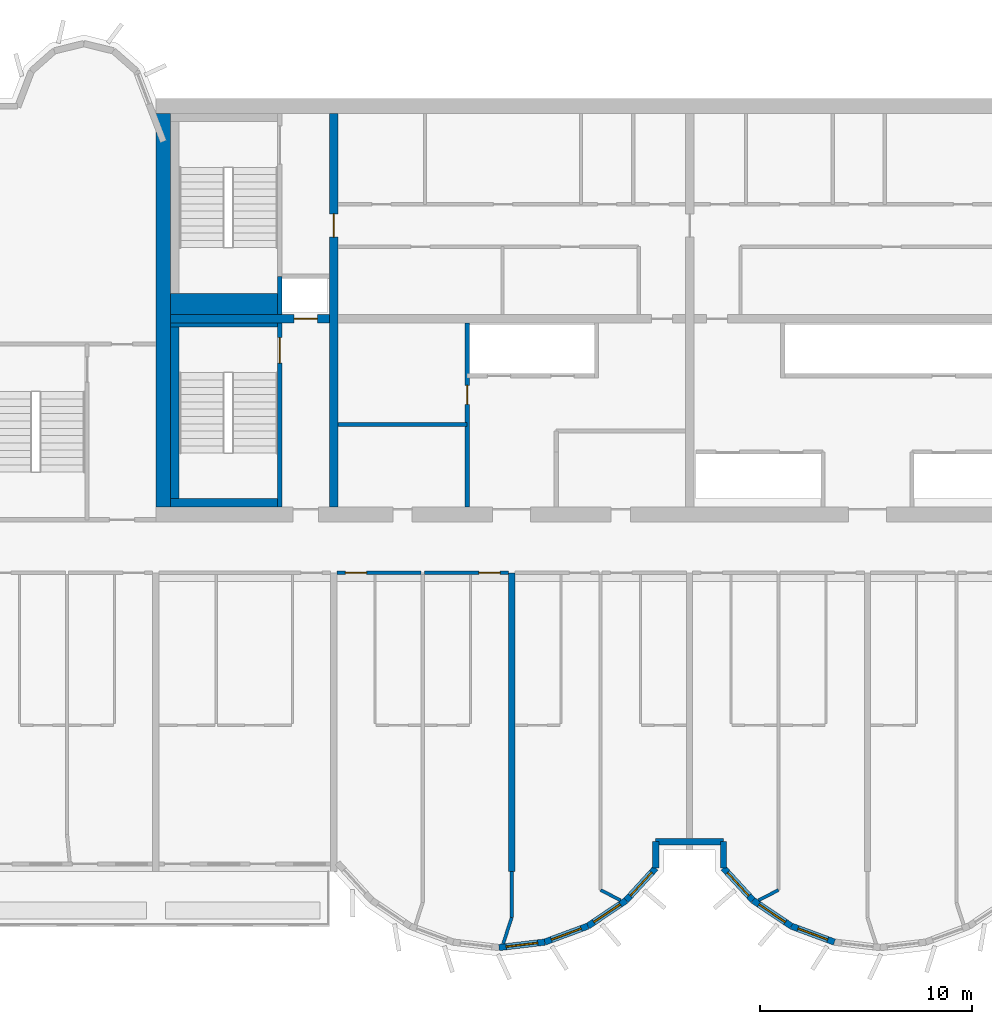
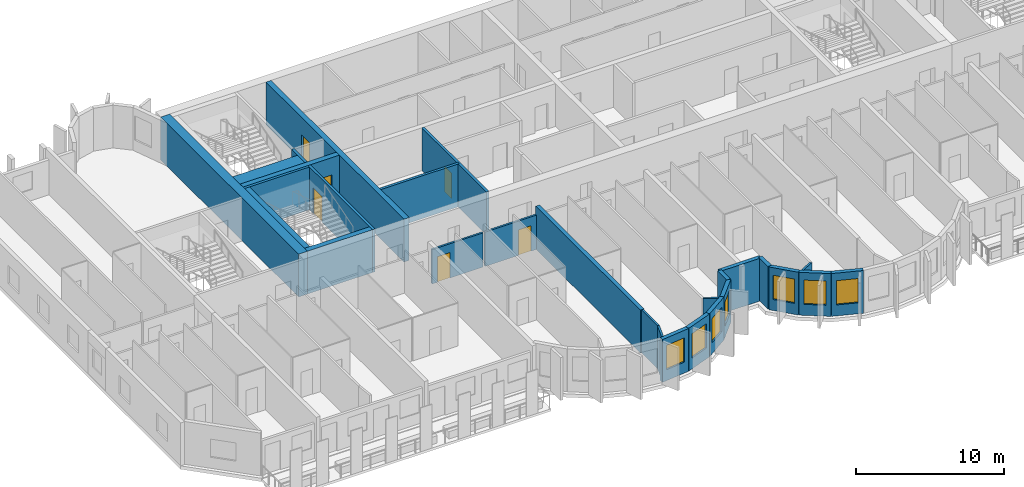
# One storey, part 4 of 13: 28 walls, 7 windows, 6 doors, 13 openings.
"""IFC4 building model written with IfcOpenShell, lengths in metres."""

from ifc_helpers import new_model, si_unit, direction, frame, frame_2d, origin, place, context, subcontext, project, spatial, rectangle, extrude, source, transform, mapped, material, layer, layer_set, type_object, element, fill, save


model = new_model("IFC4")

# Units and contexts
model_context = context("Model", 3, precision=1e-05, world=origin(), true_north=direction((0.0, 1.0)))
body_context = subcontext(model_context, "Body", "Model", "MODEL_VIEW")
ifc_project = project(units=[si_unit("LENGTHUNIT", "METRE"), si_unit("AREAUNIT", "SQUARE_METRE"), si_unit("VOLUMEUNIT", "CUBIC_METRE"), si_unit("PLANEANGLEUNIT", "RADIAN"), si_unit("MASSUNIT", "GRAM", prefix="KILO")], contexts=[model_context])

# Site, building, storey
site_placement = place(None, origin())
site = spatial("IfcSite", under=ifc_project, at=site_placement, CompositionType="ELEMENT")
building_placement = place(site_placement, origin())
building = spatial("IfcBuilding", under=site, at=building_placement, Name="Vanashikhar Sky Hotel", CompositionType="ELEMENT")
storey_placement = place(building_placement, frame((0.0, 0.0, 182.0)))
storey = spatial("IfcBuildingStorey", under=building, at=storey_placement, Name="L44", CompositionType="ELEMENT", Elevation=182.0)

# Wall, opening, door
ifc_material_1 = material(Name="Concrete M60", Category="concrete")
ifc_layer_1 = layer(ifc_material_1, 0.39990234375)
ifc_layer_set_1 = layer_set([ifc_layer_1], Name="RC core inner wall 400 Concrete M60")
wall_type_1 = type_object("IfcWallType", Name="RC core inner wall 400 Concrete M60", PredefinedType="SHEAR", material=ifc_layer_set_1)
shared_shape_1 = source(origin(), body_context, "Body", "SweptSolid", [
    extrude(rectangle(XDim=18.60009765625, YDim=0.39990234375, at=frame_2d((9.300048828125, 0.0))), origin(), (0.0, 0.0, 1.0), 3.52001953125),
])
wall_1_placement = place(storey_placement, frame((33.60009765625, 22.699951171875, 0.0), z_axis=(0.0, 0.0, 1.0), x_axis=(0.0, 1.0, 0.0)))
wall_1 = element("IfcWall", 1, at=wall_1_placement, inside=storey, type_object=wall_type_1, Name="KW-L44-KX1", PredefinedType="SHEAR", context=body_context, shape_type="MappedRepresentation", body=[
    mapped(shared_shape_1, transform((0.0, 0.0, 0.0), scale=1.0)),
])
shared_shape_2 = source(origin(), body_context, "Body", "SweptSolid", [
    extrude(rectangle(XDim=1.10009765625, YDim=2.10009765625, at=frame_2d((0.550048828125, 1.050048828125))), frame((0.0, 0.2099609375, 0.0), z_axis=(0.0, -1.0, 0.0), x_axis=(1.0, 0.0, 0.0)), (0.0, 0.0, 1.0), 0.419921875),
])
opening_1_placement = place(wall_1_placement, frame((12.75, 0.0, 0.0)))
opening_1 = element("IfcOpeningElement", 2, at=opening_1_placement, cuts=wall_1, Name="Opening DC-4-C", PredefinedType="OPENING", context=body_context, shape_type="MappedRepresentation", body=[
    mapped(shared_shape_2, transform((0.0, 0.0, 0.0), scale=1.0)),
])
ifc_material_2 = material(Name="Steel", Category="steel")
door_type_1 = type_object("IfcDoorType", Name="Service door 1100 FD60", OperationType="NOTDEFINED", PredefinedType="DOOR", material=ifc_material_2)
shared_shape_3 = source(origin(), body_context, "Body", "SweptSolid", [
    extrude(rectangle(XDim=1.10009765625, YDim=2.10009765625, at=frame_2d((0.550048828125, 1.050048828125))), frame((0.0, 0.02490234375, 0.0), z_axis=(0.0, -1.0, 0.0), x_axis=(1.0, 0.0, 0.0)), (0.0, 0.0, 1.0), 0.050048828125),
])
door_1_placement = place(opening_1_placement, origin())
door_1 = element("IfcDoor", 3, at=door_1_placement, inside=storey, type_object=door_type_1, Name="Service door 1100 FD60", OperationType="SINGLE_SWING_RIGHT", OverallHeight=2.10009765625, OverallWidth=1.10009765625, PredefinedType="DOOR", context=body_context, shape_type="MappedRepresentation", body=[
    mapped(shared_shape_3, transform((0.0, 0.0, 0.0), scale=1.0)),
])
fill(opening_1, door_1)

# Wall
ifc_layer_2 = layer(ifc_material_1, 0.699951171875)
ifc_layer_set_2 = layer_set([ifc_layer_2], Name="RC core shell wall 700 Concrete M60")
wall_type_2 = type_object("IfcWallType", Name="RC core shell wall 700 Concrete M60", PredefinedType="SHEAR", material=ifc_layer_set_2)
shared_shape_4 = source(origin(), body_context, "Body", "SweptSolid", [
    extrude(rectangle(XDim=18.60009765625, YDim=0.699951171875, at=frame_2d((9.300048828125, 0.0))), origin(), (0.0, 0.0, 1.0), 3.52001953125),
])
wall_2_placement = place(storey_placement, frame((25.550048828125, 22.699951171875, 0.0), z_axis=(0.0, 0.0, 1.0), x_axis=(0.0, 1.0, 0.0)))
element("IfcWall", 4, at=wall_2_placement, inside=storey, type_object=wall_type_2, Name="KW-L44-KW", PredefinedType="SHEAR", context=body_context, shape_type="MappedRepresentation", body=[
    mapped(shared_shape_4, transform((0.0, 0.0, 0.0), scale=1.0)),
])

# Wall, opening, door
shared_shape_5 = source(origin(), body_context, "Body", "SweptSolid", [
    extrude(rectangle(XDim=7.5, YDim=0.39990234375, at=frame_2d((3.75, 0.0))), origin(), (0.0, 0.0, 1.0), 3.52001953125),
])
wall_3_placement = place(storey_placement, frame((25.89990234375, 31.60009765625, 0.0), z_axis=(0.0, 0.0, 1.0), x_axis=(1.0, 0.0, 0.0)))
wall_3 = element("IfcWall", 5, at=wall_3_placement, inside=storey, type_object=wall_type_1, Name="KW-L44-KY1", PredefinedType="SHEAR", context=body_context, shape_type="MappedRepresentation", body=[
    mapped(shared_shape_5, transform((0.0, 0.0, 0.0), scale=1.0)),
])
opening_2_placement = place(wall_3_placement, frame((5.824951171875, 0.0, 0.0)))
opening_2 = element("IfcOpeningElement", 6, at=opening_2_placement, cuts=wall_3, Name="Opening LD", PredefinedType="OPENING", context=body_context, shape_type="MappedRepresentation", body=[
    mapped(shared_shape_2, transform((0.0, 0.0, 0.0), scale=1.0)),
])
ifc_material_3 = material(Name="Stainless steel", Category="steel")
door_type_2 = type_object("IfcDoorType", Name="Lift landing door 1100", OperationType="NOTDEFINED", PredefinedType="DOOR", material=ifc_material_3)
door_2_placement = place(opening_2_placement, origin())
door_2 = element("IfcDoor", 7, at=door_2_placement, inside=storey, type_object=door_type_2, Name="Lift landing door 1100", OperationType="SLIDING_TO_LEFT", OverallHeight=2.10009765625, OverallWidth=1.10009765625, PredefinedType="DOOR", context=body_context, shape_type="MappedRepresentation", body=[
    mapped(shared_shape_3, transform((0.0, 0.0, 0.0), scale=1.0)),
])
fill(opening_2, door_2)

# Wall
ifc_layer_3 = layer(ifc_material_1, 0.300048828125)
ifc_layer_set_3 = layer_set([ifc_layer_3], Name="RC shear wall 300 Concrete M60")
wall_type_3 = type_object("IfcWallType", Name="RC shear wall 300 Concrete M60", PredefinedType="SHEAR", material=ifc_layer_set_3)
shared_shape_6 = source(origin(), body_context, "Body", "SweptSolid", [
    extrude(rectangle(XDim=14.10009765625, YDim=0.300048828125, at=frame_2d((7.050048828125, 0.0))), origin(), (0.0, 0.0, 1.0), 3.52001953125),
])
wall_4_placement = place(storey_placement, frame((42.0, 5.5, 0.0), z_axis=(0.0, 0.0, 1.0), x_axis=(0.0, 1.0, 0.0)))
element("IfcWall", 8, at=wall_4_placement, inside=storey, type_object=wall_type_3, Name="CW-L44-XW06-1", PredefinedType="SHEAR", context=body_context, shape_type="MappedRepresentation", body=[
    mapped(shared_shape_6, transform((0.0, 0.0, 0.0), scale=1.0)),
])

# Wall, opening, window
ifc_material_4 = material(Name="Concrete M50", Category="concrete")
ifc_layer_4 = layer(ifc_material_4, 0.300048828125)
ifc_layer_set_4 = layer_set([ifc_layer_4], Name="Lobe wall 300")
wall_type_4 = type_object("IfcWallType", Name="Lobe wall 300", PredefinedType="SOLIDWALL", material=ifc_layer_set_4)
shared_shape_7 = source(origin(), body_context, "Body", "SweptSolid", [
    extrude(rectangle(XDim=2.17578125, YDim=0.300048828125, at=frame_2d((1.087890625, 0.0))), origin(), (0.0, 0.0, 1.0), 3.52001953125),
])
wall_5_placement = place(storey_placement, frame((45.59912109375, 2.91650390625, 0.0), z_axis=(0.0, 0.0, 1.0), x_axis=(0.829625727223, 0.558319937607, 0.0)))
wall_5 = element("IfcWall", 9, at=wall_5_placement, inside=storey, type_object=wall_type_4, Name="Lobe wall", PredefinedType="SOLIDWALL", context=body_context, shape_type="MappedRepresentation", body=[
    mapped(shared_shape_7, transform((0.0, 0.0, 0.0), scale=1.0)),
])
shared_shape_8 = source(origin(), body_context, "Body", "SweptSolid", [
    extrude(rectangle(XDim=1.5, YDim=2.0, at=frame_2d((0.75, 1.0))), frame((0.0, 0.16015625, 0.0), z_axis=(0.0, -1.0, 0.0), x_axis=(1.0, 0.0, 0.0)), (0.0, 0.0, 1.0), 0.320068359375),
])
opening_3_placement = place(wall_5_placement, frame((0.337890625, 0.0, 0.89990234375)))
opening_3 = element("IfcOpeningElement", 10, at=opening_3_placement, cuts=wall_5, Name="Opening WN-2", PredefinedType="OPENING", context=body_context, shape_type="MappedRepresentation", body=[
    mapped(shared_shape_8, transform((0.0, 0.0, 0.0), scale=1.0)),
])
ifc_material_5 = material(Name="Glass", Category="glass")
window_type = type_object("IfcWindowType", Name="Lobe window 1500 x 2000", PartitioningType="SINGLE_PANEL", PredefinedType="WINDOW", material=ifc_material_5)
shared_shape_9 = source(origin(), body_context, "Body", "SweptSolid", [
    extrude(rectangle(XDim=1.5, YDim=2.0, at=frame_2d((0.75, 1.0))), frame((0.0, 0.030029296875, 0.0), z_axis=(0.0, -1.0, 0.0), x_axis=(1.0, 0.0, 0.0)), (0.0, 0.0, 1.0), 0.06005859375),
])
window_1_placement = place(opening_3_placement, origin())
window_1 = element("IfcWindow", 11, at=window_1_placement, inside=storey, type_object=window_type, Name="Window WN-2", OverallHeight=2.0, OverallWidth=1.5, PartitioningType="SINGLE_PANEL", PredefinedType="WINDOW", context=body_context, shape_type="MappedRepresentation", body=[
    mapped(shared_shape_9, transform((0.0, 0.0, 0.0), scale=1.0)),
])
fill(opening_3, window_1)

wall_6_placement = place(storey_placement, frame((53.395751953125, 4.13134765625, 0.0), z_axis=(0.0, 0.0, 1.0), x_axis=(0.829590746428, -0.558371913192, 0.0)))
wall_6 = element("IfcWall", 12, at=wall_6_placement, inside=storey, type_object=wall_type_4, Name="Lobe wall", PredefinedType="SOLIDWALL", context=body_context, shape_type="MappedRepresentation", body=[
    mapped(shared_shape_7, transform((0.0, 0.0, 0.0), scale=1.0)),
])
opening_4_placement = place(wall_6_placement, frame((0.337890625, 0.0, 0.89990234375)))
opening_4 = element("IfcOpeningElement", 13, at=opening_4_placement, cuts=wall_6, Name="Opening WN-2", PredefinedType="OPENING", context=body_context, shape_type="MappedRepresentation", body=[
    mapped(shared_shape_8, transform((0.0, 0.0, 0.0), scale=1.0)),
])
window_2_placement = place(opening_4_placement, origin())
window_2 = element("IfcWindow", 14, at=window_2_placement, inside=storey, type_object=window_type, Name="Window WN-2", OverallHeight=2.0, OverallWidth=1.5, PartitioningType="SINGLE_PANEL", PredefinedType="WINDOW", context=body_context, shape_type="MappedRepresentation", body=[
    mapped(shared_shape_9, transform((0.0, 0.0, 0.0), scale=1.0)),
])
fill(opening_4, window_2)

wall_7_placement = place(storey_placement, frame((55.20068359375, 2.91650390625, 0.0), z_axis=(0.0, 0.0, 1.0), x_axis=(0.93754555999, -0.347862505801, 0.0)))
wall_7 = element("IfcWall", 15, at=wall_7_placement, inside=storey, type_object=wall_type_4, Name="Lobe wall", PredefinedType="SOLIDWALL", context=body_context, shape_type="MappedRepresentation", body=[
    mapped(shared_shape_7, transform((0.0, 0.0, 0.0), scale=1.0)),
])
opening_5_placement = place(wall_7_placement, frame((0.337890625, 0.0, 0.89990234375)))
opening_5 = element("IfcOpeningElement", 16, at=opening_5_placement, cuts=wall_7, Name="Opening WN-2", PredefinedType="OPENING", context=body_context, shape_type="MappedRepresentation", body=[
    mapped(shared_shape_8, transform((0.0, 0.0, 0.0), scale=1.0)),
])
window_3_placement = place(opening_5_placement, origin())
window_3 = element("IfcWindow", 17, at=window_3_placement, inside=storey, type_object=window_type, Name="Window WN-2", OverallHeight=2.0, OverallWidth=1.5, PartitioningType="SINGLE_PANEL", PredefinedType="WINDOW", context=body_context, shape_type="MappedRepresentation", body=[
    mapped(shared_shape_9, transform((0.0, 0.0, 0.0), scale=1.0)),
])
fill(opening_5, window_3)

shared_shape_10 = source(origin(), body_context, "Body", "SweptSolid", [
    extrude(rectangle(XDim=2.1748046875, YDim=0.300048828125, at=frame_2d((1.08740234375, 0.0))), origin(), (0.0, 0.0, 1.0), 3.52001953125),
])
wall_8_placement = place(storey_placement, frame((41.39990234375, 1.90283203125, 0.0), z_axis=(0.0, 0.0, 1.0), x_axis=(0.993002698611, 0.118091661648, 0.0)))
wall_8 = element("IfcWall", 18, at=wall_8_placement, inside=storey, type_object=wall_type_4, Name="Lobe wall", PredefinedType="SOLIDWALL", context=body_context, shape_type="MappedRepresentation", body=[
    mapped(shared_shape_10, transform((0.0, 0.0, 0.0), scale=1.0)),
])
opening_6_placement = place(wall_8_placement, frame((0.33740234375, 0.0, 0.89990234375)))
opening_6 = element("IfcOpeningElement", 19, at=opening_6_placement, cuts=wall_8, Name="Opening WN-2", PredefinedType="OPENING", context=body_context, shape_type="MappedRepresentation", body=[
    mapped(shared_shape_8, transform((0.0, 0.0, 0.0), scale=1.0)),
])
window_4_placement = place(opening_6_placement, origin())
window_4 = element("IfcWindow", 20, at=window_4_placement, inside=storey, type_object=window_type, Name="Window WN-2", OverallHeight=2.0, OverallWidth=1.5, PartitioningType="SINGLE_PANEL", PredefinedType="WINDOW", context=body_context, shape_type="MappedRepresentation", body=[
    mapped(shared_shape_9, transform((0.0, 0.0, 0.0), scale=1.0)),
])
fill(opening_6, window_4)

shared_shape_11 = source(origin(), body_context, "Body", "SweptSolid", [
    extrude(rectangle(XDim=2.175537109375, YDim=0.300048828125, at=frame_2d((1.087890625, 0.0))), origin(), (0.0, 0.0, 1.0), 3.52001953125),
])
wall_9_placement = place(storey_placement, frame((43.5595703125, 2.15966796875, 0.0), z_axis=(0.0, 0.0, 1.0), x_axis=(0.937531979054, 0.347899106424, 0.0)))
wall_9 = element("IfcWall", 21, at=wall_9_placement, inside=storey, type_object=wall_type_4, Name="Lobe wall", PredefinedType="SOLIDWALL", context=body_context, shape_type="MappedRepresentation", body=[
    mapped(shared_shape_11, transform((0.0, 0.0, 0.0), scale=1.0)),
])
opening_7_placement = place(wall_9_placement, frame((0.337890625, 0.0, 0.89990234375)))
opening_7 = element("IfcOpeningElement", 22, at=opening_7_placement, cuts=wall_9, Name="Opening WN-2", PredefinedType="OPENING", context=body_context, shape_type="MappedRepresentation", body=[
    mapped(shared_shape_8, transform((0.0, 0.0, 0.0), scale=1.0)),
])
window_5_placement = place(opening_7_placement, origin())
window_5 = element("IfcWindow", 23, at=window_5_placement, inside=storey, type_object=window_type, Name="Window WN-2", OverallHeight=2.0, OverallWidth=1.5, PartitioningType="SINGLE_PANEL", PredefinedType="WINDOW", context=body_context, shape_type="MappedRepresentation", body=[
    mapped(shared_shape_9, transform((0.0, 0.0, 0.0), scale=1.0)),
])
fill(opening_7, window_5)

shared_shape_12 = source(origin(), body_context, "Body", "SweptSolid", [
    extrude(rectangle(XDim=2.066650390625, YDim=0.300048828125, at=frame_2d((1.033203125, 0.0))), origin(), (0.0, 0.0, 1.0), 3.52001953125),
])
wall_10_placement = place(storey_placement, frame((47.404296875, 4.13134765625, 0.0), z_axis=(0.0, 0.0, 1.0), x_axis=(0.675355439877, 0.737492393065, 0.0)))
wall_10 = element("IfcWall", 24, at=wall_10_placement, inside=storey, type_object=wall_type_4, Name="Lobe wall", PredefinedType="SOLIDWALL", context=body_context, shape_type="MappedRepresentation", body=[
    mapped(shared_shape_12, transform((0.0, 0.0, 0.0), scale=1.0)),
])
opening_8_placement = place(wall_10_placement, frame((0.283447265625, 0.0, 0.89990234375)))
opening_8 = element("IfcOpeningElement", 25, at=opening_8_placement, cuts=wall_10, Name="Opening WN-2", PredefinedType="OPENING", context=body_context, shape_type="MappedRepresentation", body=[
    mapped(shared_shape_8, transform((0.0, 0.0, 0.0), scale=1.0)),
])
window_6_placement = place(opening_8_placement, origin())
window_6 = element("IfcWindow", 26, at=window_6_placement, inside=storey, type_object=window_type, Name="Window WN-2", OverallHeight=2.0, OverallWidth=1.5, PartitioningType="SINGLE_PANEL", PredefinedType="WINDOW", context=body_context, shape_type="MappedRepresentation", body=[
    mapped(shared_shape_9, transform((0.0, 0.0, 0.0), scale=1.0)),
])
fill(opening_8, window_6)

wall_11_placement = place(storey_placement, frame((52.0, 5.655517578125, 0.0), z_axis=(0.0, 0.0, 1.0), x_axis=(0.675355439877, -0.737492393065, 0.0)))
wall_11 = element("IfcWall", 27, at=wall_11_placement, inside=storey, type_object=wall_type_4, Name="Lobe wall", PredefinedType="SOLIDWALL", context=body_context, shape_type="MappedRepresentation", body=[
    mapped(shared_shape_12, transform((0.0, 0.0, 0.0), scale=1.0)),
])
opening_9_placement = place(wall_11_placement, frame((0.283447265625, 0.0, 0.89990234375)))
opening_9 = element("IfcOpeningElement", 28, at=opening_9_placement, cuts=wall_11, Name="Opening WN-2", PredefinedType="OPENING", context=body_context, shape_type="MappedRepresentation", body=[
    mapped(shared_shape_8, transform((0.0, 0.0, 0.0), scale=1.0)),
])
window_7_placement = place(opening_9_placement, origin())
window_7 = element("IfcWindow", 29, at=window_7_placement, inside=storey, type_object=window_type, Name="Window WN-2", OverallHeight=2.0, OverallWidth=1.5, PartitioningType="SINGLE_PANEL", PredefinedType="WINDOW", context=body_context, shape_type="MappedRepresentation", body=[
    mapped(shared_shape_9, transform((0.0, 0.0, 0.0), scale=1.0)),
])
fill(opening_9, window_7)

# Walls
shared_shape_13 = source(origin(), body_context, "Body", "SweptSolid", [
    extrude(rectangle(XDim=1.244384765625, YDim=0.300048828125, at=frame_2d((0.6220703125, 0.0))), origin(), (0.0, 0.0, 1.0), 3.52001953125),
])
for number, where, z_axis, x_axis, name in (
    (30, (48.800048828125, 5.655517578125, 0.0), (0.0, 0.0, 1.0), (0.0, 1.0, 0.0), "Groove wall"),
    (31, (52.0, 6.89990234375, 0.0), (0.0, 0.0, 1.0), (0.0, -1.0, 0.0), "Groove wall"),
):
    element("IfcWall", number, at=place(storey_placement, frame(where, z_axis=z_axis, x_axis=x_axis)), inside=storey, type_object=wall_type_4, Name=name, PredefinedType="SOLIDWALL", context=body_context, shape_type="MappedRepresentation", body=[
        mapped(shared_shape_13, transform((0.0, 0.0, 0.0), scale=1.0)),
    ])
shared_shape_14 = source(origin(), body_context, "Body", "SweptSolid", [
    extrude(rectangle(XDim=3.199951171875, YDim=0.300048828125, at=frame_2d((1.60009765625, 0.0))), origin(), (0.0, 0.0, 1.0), 3.52001953125),
])
wall_12_placement = place(storey_placement, frame((48.800048828125, 6.89990234375, 0.0), z_axis=(0.0, 0.0, 1.0), x_axis=(1.0, 0.0, 0.0)))
element("IfcWall", 32, at=wall_12_placement, inside=storey, type_object=wall_type_4, Name="Groove wall", PredefinedType="SOLIDWALL", context=body_context, shape_type="MappedRepresentation", body=[
    mapped(shared_shape_14, transform((0.0, 0.0, 0.0), scale=1.0)),
])

# Wall, opening, door
ifc_material_6 = material(Name="Gypsum board partition")
ifc_layer_5 = layer(ifc_material_6, 0.14990234375)
ifc_layer_set_5 = layer_set([ifc_layer_5], Name="Service partition 150")
wall_type_5 = type_object("IfcWallType", Name="Service partition 150", PredefinedType="PARTITIONING", material=ifc_layer_set_5)
shared_shape_15 = source(origin(), body_context, "Body", "SweptSolid", [
    extrude(rectangle(XDim=8.699951171875, YDim=0.199951171875, at=frame_2d((4.35009765625, 0.0))), origin(), (0.0, 0.0, 1.0), 3.52001953125),
])
wall_13_placement = place(storey_placement, frame((39.89990234375, 22.699951171875, 0.0), z_axis=(0.0, 0.0, 1.0), x_axis=(0.0, 1.0, 0.0)))
wall_13 = element("IfcWall", 33, at=wall_13_placement, inside=storey, type_object=wall_type_5, Name="Service partition 150", PredefinedType="PARTITIONING", context=body_context, shape_type="MappedRepresentation", body=[
    mapped(shared_shape_15, transform((0.0, 0.0, 0.0), scale=1.0)),
])
shared_shape_16 = source(origin(), body_context, "Body", "SweptSolid", [
    extrude(rectangle(XDim=0.89990234375, YDim=2.10009765625, at=frame_2d((0.449951171875, 1.050048828125))), frame((0.0, 0.10986328125, 0.0), z_axis=(0.0, -1.0, 0.0), x_axis=(1.0, 0.0, 0.0)), (0.0, 0.0, 1.0), 0.219970703125),
])
opening_10_placement = place(wall_13_placement, frame((4.85009765625, 0.0, 0.0)))
opening_10 = element("IfcOpeningElement", 34, at=opening_10_placement, cuts=wall_13, Name="Opening DC-4-A", PredefinedType="OPENING", context=body_context, shape_type="MappedRepresentation", body=[
    mapped(shared_shape_16, transform((0.0, 0.0, 0.0), scale=1.0)),
])
door_type_3 = type_object("IfcDoorType", Name="Service door 900 FD60", OperationType="NOTDEFINED", PredefinedType="DOOR", material=ifc_material_2)
shared_shape_17 = source(origin(), body_context, "Body", "SweptSolid", [
    extrude(rectangle(XDim=0.89990234375, YDim=2.10009765625, at=frame_2d((0.449951171875, 1.050048828125))), frame((0.0, 0.02490234375, 0.0), z_axis=(0.0, -1.0, 0.0), x_axis=(1.0, 0.0, 0.0)), (0.0, 0.0, 1.0), 0.050048828125),
])
door_3_placement = place(opening_10_placement, origin())
door_3 = element("IfcDoor", 35, at=door_3_placement, inside=storey, type_object=door_type_3, Name="Service door 900 FD60", OperationType="SINGLE_SWING_LEFT", OverallHeight=2.10009765625, OverallWidth=0.89990234375, PredefinedType="DOOR", context=body_context, shape_type="MappedRepresentation", body=[
    mapped(shared_shape_17, transform((0.0, 0.0, 0.0), scale=1.0)),
])
fill(opening_10, door_3)

# Wall
shared_shape_18 = source(origin(), body_context, "Body", "SweptSolid", [
    extrude(rectangle(XDim=6.099853515625, YDim=0.199951171875, at=frame_2d((3.0498046875, 0.0))), origin(), (0.0, 0.0, 1.0), 3.52001953125),
])
wall_14_placement = place(storey_placement, frame((33.800048828125, 26.60009765625, 0.0), z_axis=(0.0, 0.0, 1.0), x_axis=(1.0, 0.0, 0.0)))
element("IfcWall", 36, at=wall_14_placement, inside=storey, type_object=wall_type_5, Name="Service partition 150", PredefinedType="PARTITIONING", context=body_context, shape_type="MappedRepresentation", body=[
    mapped(shared_shape_18, transform((0.0, 0.0, 0.0), scale=1.0)),
])

# Wall, opening, door
ifc_layer_6 = layer(ifc_material_4, 0.199951171875)
ifc_layer_set_6 = layer_set([ifc_layer_6], Name="Stair wall 200")
wall_type_6 = type_object("IfcWallType", Name="Stair wall 200", PredefinedType="SOLIDWALL", material=ifc_layer_set_6)
shared_shape_19 = source(origin(), body_context, "Body", "SweptSolid", [
    extrude(rectangle(XDim=8.699951171875, YDim=0.199951171875, at=frame_2d((4.35009765625, 0.0))), origin(), (0.0, 0.0, 1.0), 3.52001953125),
])
wall_15_placement = place(storey_placement, frame((31.050048828125, 22.699951171875, 0.0), z_axis=(0.0, 0.0, 1.0), x_axis=(0.0, 1.0, 0.0)))
wall_15 = element("IfcWall", 37, at=wall_15_placement, inside=storey, type_object=wall_type_6, Name="Stair wall 200", PredefinedType="SOLIDWALL", context=body_context, shape_type="MappedRepresentation", body=[
    mapped(shared_shape_19, transform((0.0, 0.0, 0.0), scale=1.0)),
])
shared_shape_20 = source(origin(), body_context, "Body", "SweptSolid", [
    extrude(rectangle(XDim=1.199951171875, YDim=2.10009765625, at=frame_2d((0.60009765625, 1.050048828125))), frame((0.0, 0.10986328125, 0.0), z_axis=(0.0, -1.0, 0.0), x_axis=(1.0, 0.0, 0.0)), (0.0, 0.0, 1.0), 0.219970703125),
])
opening_11_placement = place(wall_15_placement, frame((6.800048828125, 0.0, 0.0)))
opening_11 = element("IfcOpeningElement", 38, at=opening_11_placement, cuts=wall_15, Name="Opening DC-1", PredefinedType="OPENING", context=body_context, shape_type="MappedRepresentation", body=[
    mapped(shared_shape_20, transform((0.0, 0.0, 0.0), scale=1.0)),
])
door_type_4 = type_object("IfcDoorType", Name="Stair door 1200 FD120", OperationType="NOTDEFINED", PredefinedType="DOOR", material=ifc_material_2)
shared_shape_21 = source(origin(), body_context, "Body", "SweptSolid", [
    extrude(rectangle(XDim=1.199951171875, YDim=2.10009765625, at=frame_2d((0.60009765625, 1.050048828125))), frame((0.0, 0.02490234375, 0.0), z_axis=(0.0, -1.0, 0.0), x_axis=(1.0, 0.0, 0.0)), (0.0, 0.0, 1.0), 0.050048828125),
])
door_4_placement = place(opening_11_placement, origin())
door_4 = element("IfcDoor", 39, at=door_4_placement, inside=storey, type_object=door_type_4, Name="Stair door 1200 FD120", OperationType="SINGLE_SWING_RIGHT", OverallHeight=2.10009765625, OverallWidth=1.199951171875, PredefinedType="DOOR", context=body_context, shape_type="MappedRepresentation", body=[
    mapped(shared_shape_21, transform((0.0, 0.0, 0.0), scale=1.0)),
])
fill(opening_11, door_4)

# Walls
ifc_material_7 = material(Name="Concrete M40", Category="concrete")
ifc_layer_7 = layer(ifc_material_7, 0.199951171875)
ifc_layer_set_7 = layer_set([ifc_layer_7], Name="Shaft wall 200")
wall_type_7 = type_object("IfcWallType", Name="Shaft wall 200", PredefinedType="SOLIDWALL", material=ifc_layer_set_7)
shared_shape_22 = source(origin(), body_context, "Body", "SweptSolid", [
    extrude(rectangle(XDim=1.800048828125, YDim=0.199951171875, at=frame_2d((0.89990234375, 0.0))), origin(), (0.0, 0.0, 1.0), 3.52001953125),
])
wall_16_placement = place(storey_placement, frame((31.050048828125, 31.800048828125, 0.0), z_axis=(0.0, 0.0, 1.0), x_axis=(0.0, 1.0, 0.0)))
element("IfcWall", 40, at=wall_16_placement, inside=storey, type_object=wall_type_7, Name="Shaft wall 200", PredefinedType="SOLIDWALL", context=body_context, shape_type="MappedRepresentation", body=[
    mapped(shared_shape_22, transform((0.0, 0.0, 0.0), scale=1.0)),
])
ifc_layer_8 = layer(ifc_material_4, 0.39990234375)
ifc_layer_set_8 = layer_set([ifc_layer_8], Name="Stair infill wall 400")
wall_type_8 = type_object("IfcWallType", Name="Stair infill wall 400", PredefinedType="SOLIDWALL", material=ifc_layer_set_8)
shared_shape_23 = source(origin(), body_context, "Body", "SweptSolid", [
    extrude(rectangle(XDim=5.050048828125, YDim=0.39990234375, at=frame_2d((2.52490234375, 0.0))), origin(), (0.0, 0.0, 1.0), 3.52001953125),
])
wall_17_placement = place(storey_placement, frame((25.89990234375, 22.89990234375, 0.0), z_axis=(0.0, 0.0, 1.0), x_axis=(1.0, 0.0, 0.0)))
element("IfcWall", 41, at=wall_17_placement, inside=storey, type_object=wall_type_8, Name="Stair infill wall 400", PredefinedType="SOLIDWALL", context=body_context, shape_type="MappedRepresentation", body=[
    mapped(shared_shape_23, transform((0.0, 0.0, 0.0), scale=1.0)),
])
ifc_layer_9 = layer(ifc_material_4, 0.199951171875)
ifc_layer_set_9 = layer_set([ifc_layer_9], Name="Stair infill wall 200")
wall_type_9 = type_object("IfcWallType", Name="Stair infill wall 200", PredefinedType="SOLIDWALL", material=ifc_layer_set_9)
shared_shape_24 = source(origin(), body_context, "Body", "SweptSolid", [
    extrude(rectangle(XDim=5.050048828125, YDim=0.199951171875, at=frame_2d((2.52490234375, 0.0))), origin(), (0.0, 0.0, 1.0), 3.52001953125),
])
wall_18_placement = place(storey_placement, frame((25.89990234375, 31.300048828125, 0.0), z_axis=(0.0, 0.0, 1.0), x_axis=(1.0, 0.0, 0.0)))
element("IfcWall", 42, at=wall_18_placement, inside=storey, type_object=wall_type_9, Name="Stair infill wall 200", PredefinedType="SOLIDWALL", context=body_context, shape_type="MappedRepresentation", body=[
    mapped(shared_shape_24, transform((0.0, 0.0, 0.0), scale=1.0)),
])
shared_shape_25 = source(origin(), body_context, "Body", "SweptSolid", [
    extrude(rectangle(XDim=8.099853515625, YDim=0.39990234375, at=frame_2d((4.0498046875, 0.0))), origin(), (0.0, 0.0, 1.0), 3.52001953125),
])
wall_19_placement = place(storey_placement, frame((26.10009765625, 23.10009765625, 0.0), z_axis=(0.0, 0.0, 1.0), x_axis=(0.0, 1.0, 0.0)))
element("IfcWall", 43, at=wall_19_placement, inside=storey, type_object=wall_type_8, Name="Stair infill wall 400", PredefinedType="SOLIDWALL", context=body_context, shape_type="MappedRepresentation", body=[
    mapped(shared_shape_25, transform((0.0, 0.0, 0.0), scale=1.0)),
])
ifc_layer_10 = layer(ifc_material_4, 1.0)
ifc_layer_set_10 = layer_set([ifc_layer_10], Name="Stair infill wall 1000")
wall_type_10 = type_object("IfcWallType", Name="Stair infill wall 1000", PredefinedType="SOLIDWALL", material=ifc_layer_set_10)
shared_shape_26 = source(origin(), body_context, "Body", "SweptSolid", [
    extrude(rectangle(XDim=5.050048828125, YDim=1.0, at=frame_2d((2.52490234375, 0.0))), origin(), (0.0, 0.0, 1.0), 3.52001953125),
])
wall_20_placement = place(storey_placement, frame((25.89990234375, 32.300048828125, 0.0), z_axis=(0.0, 0.0, 1.0), x_axis=(1.0, 0.0, 0.0)))
element("IfcWall", 44, at=wall_20_placement, inside=storey, type_object=wall_type_10, Name="Stair infill wall 1000", PredefinedType="SOLIDWALL", context=body_context, shape_type="MappedRepresentation", body=[
    mapped(shared_shape_26, transform((0.0, 0.0, 0.0), scale=1.0)),
])
ifc_material_8 = material(Name="Gypsum plasterboard partition")
ifc_layer_11 = layer(ifc_material_8, 0.14990234375)
ifc_layer_set_11 = layer_set([ifc_layer_11], Name="Corridor and demising partition 150")
wall_type_11 = type_object("IfcWallType", Name="Corridor and demising partition 150", PredefinedType="PARTITIONING", material=ifc_layer_set_11)
shared_shape_27 = source(origin(), body_context, "Body", "SweptSolid", [
    extrude(rectangle(XDim=2.177978515625, YDim=0.14990234375, at=frame_2d((1.0888671875, 0.0))), origin(), (0.0, 0.0, 1.0), 3.52001953125),
])
wall_21_placement = place(storey_placement, frame((42.0, 3.322021484375, 0.0), z_axis=(0.0, 0.0, 1.0), x_axis=(0.0, 1.0, 0.0)))
element("IfcWall", 45, at=wall_21_placement, inside=storey, type_object=wall_type_11, Name="W-L44-PW069", PredefinedType="PARTITIONING", context=body_context, shape_type="MappedRepresentation", body=[
    mapped(shared_shape_27, transform((0.0, 0.0, 0.0), scale=1.0)),
])
shared_shape_28 = source(origin(), body_context, "Body", "SweptSolid", [
    extrude(rectangle(XDim=1.0576171875, YDim=0.14990234375, at=frame_2d((0.52880859375, 0.0))), origin(), (0.0, 0.0, 1.0), 3.52001953125),
])
wall_22_placement = place(storey_placement, frame((47.139892578125, 4.134033203125, 0.0), z_axis=(0.0, 0.0, 1.0), x_axis=(-0.888723819054, 0.458442988218, 0.0)))
element("IfcWall", 46, at=wall_22_placement, inside=storey, type_object=wall_type_11, Name="W-L44-PW033B0", PredefinedType="PARTITIONING", context=body_context, shape_type="MappedRepresentation", body=[
    mapped(shared_shape_28, transform((0.0, 0.0, 0.0), scale=1.0)),
])
shared_shape_29 = source(origin(), body_context, "Body", "SweptSolid", [
    extrude(rectangle(XDim=1.057861328125, YDim=0.14990234375, at=frame_2d((0.52880859375, 0.0))), origin(), (0.0, 0.0, 1.0), 3.52001953125),
])
wall_23_placement = place(storey_placement, frame((53.659912109375, 4.134033203125, 0.0), z_axis=(0.0, 0.0, 1.0), x_axis=(0.888772319209, 0.458348955063, 0.0)))
element("IfcWall", 47, at=wall_23_placement, inside=storey, type_object=wall_type_11, Name="W-L44-PW040B0", PredefinedType="PARTITIONING", context=body_context, shape_type="MappedRepresentation", body=[
    mapped(shared_shape_29, transform((0.0, 0.0, 0.0), scale=1.0)),
])
shared_shape_30 = source(origin(), body_context, "Body", "SweptSolid", [
    extrude(rectangle(XDim=1.308349609375, YDim=0.14990234375, at=frame_2d((0.654296875, 0.0))), origin(), (0.0, 0.0, 1.0), 3.52001953125),
])
wall_24_placement = place(storey_placement, frame((41.597900390625, 2.076904296875, 0.0), z_axis=(0.0, 0.0, 1.0), x_axis=(0.307313512187, 0.951608325535, 0.0)))
element("IfcWall", 48, at=wall_24_placement, inside=storey, type_object=wall_type_11, Name="W-L44-PW069B0", PredefinedType="PARTITIONING", context=body_context, shape_type="MappedRepresentation", body=[
    mapped(shared_shape_30, transform((0.0, 0.0, 0.0), scale=1.0)),
])

# Wall, opening, door
shared_shape_31 = source(origin(), body_context, "Body", "SweptSolid", [
    extrude(rectangle(XDim=3.97509765625, YDim=0.14990234375, at=frame_2d((1.987548828125, 0.0))), origin(), (0.0, 0.0, 1.0), 2.820068359375),
])
wall_25_placement = place(storey_placement, frame((33.75, 19.60009765625, 0.0), z_axis=(0.0, 0.0, 1.0), x_axis=(1.0, 0.0, 0.0)))
wall_25 = element("IfcWall", 49, at=wall_25_placement, inside=storey, type_object=wall_type_11, Name="W-L44-PW022", PredefinedType="PARTITIONING", context=body_context, shape_type="MappedRepresentation", body=[
    mapped(shared_shape_31, transform((0.0, 0.0, 0.0), scale=1.0)),
])
shared_shape_32 = source(origin(), body_context, "Body", "SweptSolid", [
    extrude(rectangle(XDim=1.0, YDim=2.10009765625, at=frame_2d((0.5, 1.050048828125))), frame((0.0, 0.0849609375, 0.0), z_axis=(0.0, -1.0, 0.0), x_axis=(1.0, 0.0, 0.0)), (0.0, 0.0, 1.0), 0.169921875),
])
opening_12_placement = place(wall_25_placement, frame((0.39990234375, 0.0, 0.0)))
opening_12 = element("IfcOpeningElement", 50, at=opening_12_placement, cuts=wall_25, Name="Opening D-01", PredefinedType="OPENING", context=body_context, shape_type="MappedRepresentation", body=[
    mapped(shared_shape_32, transform((0.0, 0.0, 0.0), scale=1.0)),
])
ifc_material_9 = material(Name="Timber fire door", Category="wood")
door_type_5 = type_object("IfcDoorType", Name="Guest entry door 1000 FD30S", OperationType="NOTDEFINED", PredefinedType="DOOR", material=ifc_material_9)
shared_shape_33 = source(origin(), body_context, "Body", "SweptSolid", [
    extrude(rectangle(XDim=1.0, YDim=2.10009765625, at=frame_2d((0.5, 1.050048828125))), frame((0.0, 0.02490234375, 0.0), z_axis=(0.0, -1.0, 0.0), x_axis=(1.0, 0.0, 0.0)), (0.0, 0.0, 1.0), 0.050048828125),
])
door_5_placement = place(opening_12_placement, origin())
door_5 = element("IfcDoor", 51, at=door_5_placement, inside=storey, type_object=door_type_5, Name="D-L44-013", OperationType="SINGLE_SWING_LEFT", OverallHeight=2.10009765625, OverallWidth=1.0, PredefinedType="DOOR", context=body_context, shape_type="MappedRepresentation", body=[
    mapped(shared_shape_33, transform((0.0, 0.0, 0.0), scale=1.0)),
])
fill(opening_12, door_5)

wall_26_placement = place(storey_placement, frame((37.875, 19.60009765625, 0.0), z_axis=(0.0, 0.0, 1.0), x_axis=(1.0, 0.0, 0.0)))
wall_26 = element("IfcWall", 52, at=wall_26_placement, inside=storey, type_object=wall_type_11, Name="W-L44-PW025", PredefinedType="PARTITIONING", context=body_context, shape_type="MappedRepresentation", body=[
    mapped(shared_shape_31, transform((0.0, 0.0, 0.0), scale=1.0)),
])
opening_13_placement = place(wall_26_placement, frame((2.574951171875, 0.0, 0.0)))
opening_13 = element("IfcOpeningElement", 53, at=opening_13_placement, cuts=wall_26, Name="Opening D-01", PredefinedType="OPENING", context=body_context, shape_type="MappedRepresentation", body=[
    mapped(shared_shape_32, transform((0.0, 0.0, 0.0), scale=1.0)),
])
door_6_placement = place(opening_13_placement, origin())
door_6 = element("IfcDoor", 54, at=door_6_placement, inside=storey, type_object=door_type_5, Name="D-L44-015", OperationType="SINGLE_SWING_RIGHT", OverallHeight=2.10009765625, OverallWidth=1.0, PredefinedType="DOOR", context=body_context, shape_type="MappedRepresentation", body=[
    mapped(shared_shape_33, transform((0.0, 0.0, 0.0), scale=1.0)),
])
fill(opening_13, door_6)

save(model, "model.ifc")
